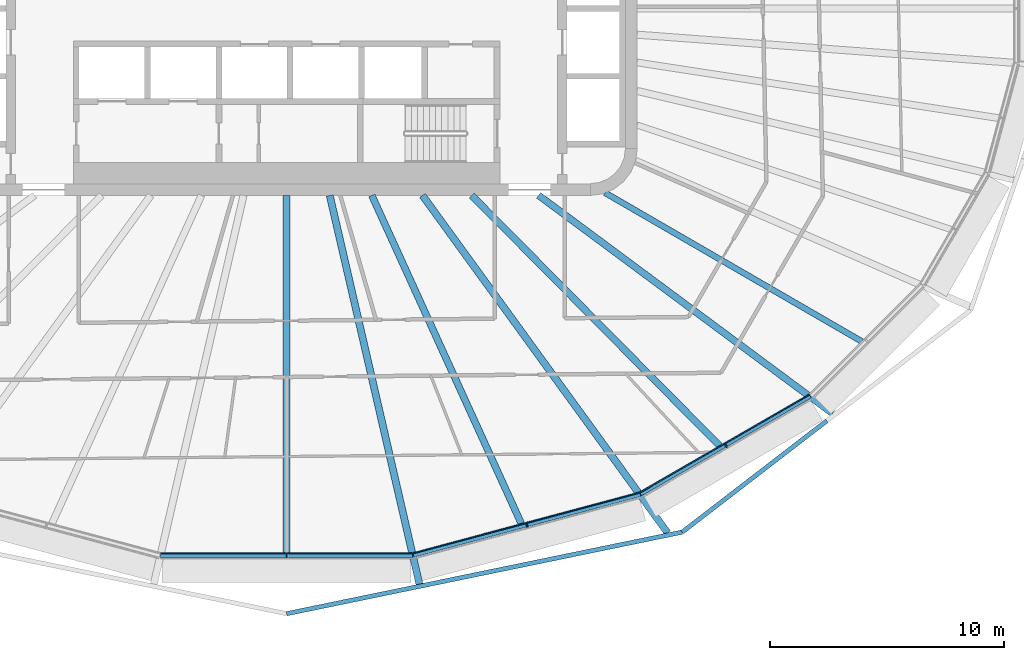
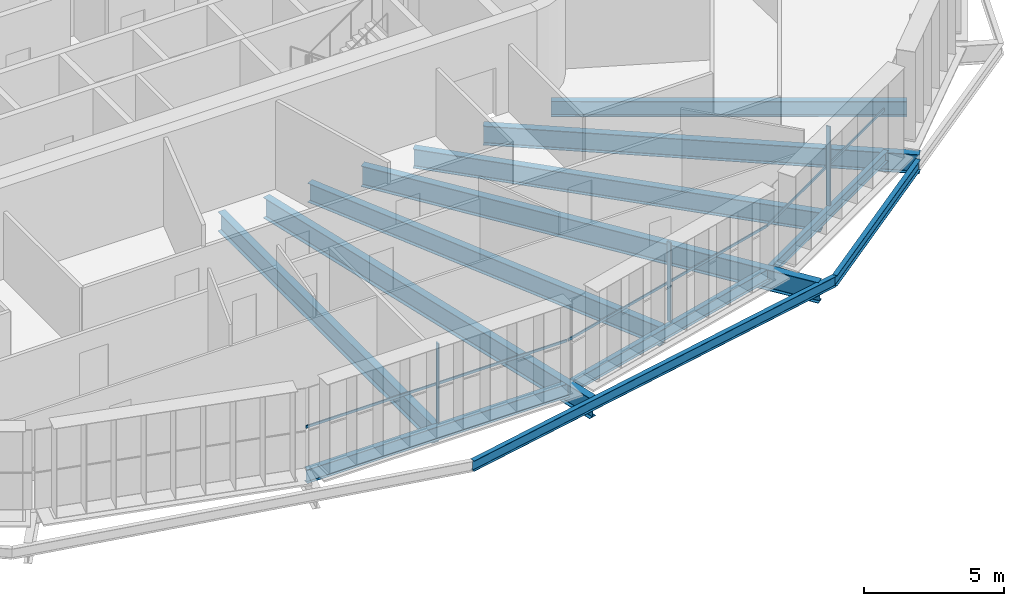
# One storey, part 4 of 24: 12 beams, 6 members, 3 elements without a shape of their own.
"""IFC4 building model written with IfcOpenShell, lengths in metres."""

from ifc_helpers import new_model, si_unit, direction, frame, origin, origin_2d, place, context, subcontext, project, spatial, rectangle, i_section, extrude, material, layer, layer_set, material_profile, profile_set, type_object, element, aggregate, save


model = new_model("IFC4")

# Units and contexts
model_context = context("Model", 3, precision=1e-05, world=origin(), true_north=direction((0.0, 1.0)))
body_context = subcontext(model_context, "Body", "Model", "MODEL_VIEW")
ifc_project = project(units=[si_unit("LENGTHUNIT", "METRE"), si_unit("AREAUNIT", "SQUARE_METRE"), si_unit("VOLUMEUNIT", "CUBIC_METRE"), si_unit("PLANEANGLEUNIT", "RADIAN"), si_unit("MASSUNIT", "GRAM", prefix="KILO")], contexts=[model_context])

# Site, building, storey
site_placement = place(None, origin())
site = spatial("IfcSite", under=ifc_project, at=site_placement, CompositionType="ELEMENT")
building_placement = place(site_placement, origin())
building = spatial("IfcBuilding", under=site, at=building_placement, Name="Sahrelin Media Tower", CompositionType="ELEMENT")
storey_placement = place(building_placement, frame((0.0, 0.0, 153.60009765625)))
storey = spatial("IfcBuildingStorey", under=building, at=storey_placement, Name="L31", CompositionType="ELEMENT", Elevation=153.60009765625)

# Beams
ifc_material_1 = material(Name="Steel S355", Category="steel")
ifc_material_profile_1 = material_profile(ifc_material_1, i_section(OverallWidth=0.1904296875, OverallDepth=0.45703125, WebThickness=0.009033203125, FlangeThickness=0.014404296875, FilletRadius=0.01025390625, at=origin_2d()), Name="UB 457x191x74")
ifc_profile_set_1 = profile_set([ifc_material_profile_1], Name="Steel S355")
beam_type_1 = type_object("IfcBeamType", Name="Edge beam EB5", PredefinedType="BEAM", material=ifc_profile_set_1)
beam_1_placement = place(storey_placement, frame((22.401123046875, -16.58203125, -0.378662109375), z_axis=(-0.866019985848, -0.500009384024, 0.0), x_axis=(0.500009384024, -0.866019985848, 0.0)))
element("IfcBeam", 1, at=beam_1_placement, inside=storey, type_object=beam_type_1, Name="Edge beam L31-05", PredefinedType="BEAM", context=body_context, shape_type="SweptSolid", body=[
    extrude(i_section(OverallWidth=0.1904296875, OverallDepth=0.45703125, WebThickness=0.009033203125, FlangeThickness=0.014404296875, FilletRadius=0.01025390625, at=origin_2d()), origin(), (0.0, 0.0, 1.0), 8.371826171875),
])
ifc_material_profile_2 = material_profile(ifc_material_1, i_section(OverallWidth=0.208740234375, OverallDepth=0.5283203125, WebThickness=0.009521484375, FlangeThickness=0.01318359375, FilletRadius=0.0126953125, at=origin_2d()), Name="UB 533x210x82")
ifc_profile_set_2 = profile_set([ifc_material_profile_2], Name="Steel S355")
beam_type_2 = type_object("IfcBeamType", Name="Edge beam EB6", PredefinedType="BEAM", material=ifc_profile_set_2)
beam_2_placement = place(storey_placement, frame((15.124267578125, -20.779052734375, -0.414306640625), z_axis=(-0.965924398273, -0.258824374473, 0.0), x_axis=(0.258824374473, -0.965924398273, 0.0)))
element("IfcBeam", 2, at=beam_2_placement, inside=storey, type_object=beam_type_2, Name="Edge beam L31-06", PredefinedType="BEAM", context=body_context, shape_type="SweptSolid", body=[
    extrude(i_section(OverallWidth=0.208740234375, OverallDepth=0.5283203125, WebThickness=0.009521484375, FlangeThickness=0.01318359375, FilletRadius=0.0126953125, at=origin_2d()), origin(), (0.0, 0.0, 1.0), 10.0439453125),
])
ifc_material_profile_3 = material_profile(ifc_material_1, i_section(OverallWidth=0.2275390625, OverallDepth=0.6025390625, WebThickness=0.010498046875, FlangeThickness=0.014892578125, FilletRadius=0.0126953125, at=origin_2d()), Name="UB 610x229x101")
ifc_profile_set_3 = profile_set([ifc_material_profile_3], Name="Steel S355")
beam_type_3 = type_object("IfcBeamType", Name="Edge beam EB7", PredefinedType="BEAM", material=ifc_profile_set_3)
beam_3_placement = place(storey_placement, frame((5.393798828125, -23.38232421875, -0.451416015625), z_axis=(-1.0, 0.0, 0.0), x_axis=(0.0, -1.0, 0.0)))
element("IfcBeam", 3, at=beam_3_placement, inside=storey, type_object=beam_type_3, Name="Edge beam L31-07", PredefinedType="BEAM", context=body_context, shape_type="SweptSolid", body=[
    extrude(i_section(OverallWidth=0.2275390625, OverallDepth=0.6025390625, WebThickness=0.010498046875, FlangeThickness=0.014892578125, FilletRadius=0.0126953125, at=origin_2d()), origin(), (0.0, 0.0, 1.0), 10.78759765625),
])

# Curtain wall, member
ifc_material_2 = material(Name="Champagne anodised aluminium 6063-T6", Category="aluminium")
ifc_layer = layer(ifc_material_2, 0.14990234375)
ifc_layer_set = layer_set([ifc_layer], Name="Tower ribbon curtain wall")
curtain_wall_type = type_object("IfcCurtainWallType", Name="Tower ribbon curtain wall", PredefinedType="NOTDEFINED", material=ifc_layer_set)
curtain_wall_1_placement = place(storey_placement, frame((0.0, -23.532470703125, 0.0), z_axis=(0.0, 0.0, 1.0), x_axis=(1.0, 0.0, 0.0)))
curtain_wall_1 = element("IfcCurtainWall", 4, at=curtain_wall_1_placement, inside=storey, type_object=curtain_wall_type, Name="L31:CW:L31-18", PredefinedType="NOTDEFINED")
ifc_material_profile_4 = material_profile(ifc_material_2, rectangle(XDim=0.06005859375, YDim=0.175048828125, at=origin_2d()), Name="Mullion 60x175")
ifc_profile_set_4 = profile_set([ifc_material_profile_4], Name="Champagne anodised aluminium 6063-T6")
member_type_1 = type_object("IfcMemberType", Name="Mullion 60x175 CW1B", PredefinedType="MULLION", material=ifc_profile_set_4)
member_1_placement = place(storey_placement, frame((0.0, -23.4248046875, 0.0), z_axis=(0.0, 0.0, 1.0), x_axis=(1.0, 0.0, 0.0)))
member_1 = element("IfcMember", 5, at=member_1_placement, type_object=member_type_1, Name="L31:CWM:L31-18", PredefinedType="MULLION", context=body_context, shape_type="SweptSolid", body=[
    extrude(rectangle(XDim=0.06005859375, YDim=0.175048828125, at=origin_2d()), origin(), (0.0, 0.0, 1.0), 3.448486328125),
])

curtain_wall_2_placement = place(storey_placement, frame((10.312255859375, -22.2236328125, 0.0), z_axis=(0.0, 0.0, 1.0), x_axis=(1.0, 0.0, 0.0)))
curtain_wall_2 = element("IfcCurtainWall", 6, at=curtain_wall_2_placement, inside=storey, type_object=curtain_wall_type, Name="L31:CW:L31-19", PredefinedType="NOTDEFINED")
member_2_placement = place(storey_placement, frame((10.284423828125, -22.119873046875, 0.0), z_axis=(0.0, 0.0, 1.0), x_axis=(0.965926729732, 0.258815673384, 0.0)))
member_2 = element("IfcMember", 7, at=member_2_placement, type_object=member_type_1, Name="L31:CWM:L31-19", PredefinedType="MULLION", context=body_context, shape_type="SweptSolid", body=[
    extrude(rectangle(XDim=0.06005859375, YDim=0.175048828125, at=origin_2d()), origin(), (0.0, 0.0, 1.0), 3.448486328125),
])

curtain_wall_3_placement = place(storey_placement, frame((18.85107421875, -18.804931640625, 0.0), z_axis=(0.0, 0.0, 1.0), x_axis=(1.0, 0.0, 0.0)))
curtain_wall_3 = element("IfcCurtainWall", 8, at=curtain_wall_3_placement, inside=storey, type_object=curtain_wall_type, Name="L31:CW:L31-20", PredefinedType="NOTDEFINED")
member_3_placement = place(storey_placement, frame((18.797119140625, -18.7119140625, 0.0), z_axis=(0.0, 0.0, 1.0), x_axis=(0.866025403784, 0.5, 0.0)))
member_3 = element("IfcMember", 9, at=member_3_placement, type_object=member_type_1, Name="L31:CWM:L31-20", PredefinedType="MULLION", context=body_context, shape_type="SweptSolid", body=[
    extrude(rectangle(XDim=0.06005859375, YDim=0.175048828125, at=origin_2d()), origin(), (0.0, 0.0, 1.0), 3.448486328125),
])

# Beams
ifc_material_profile_5 = material_profile(ifc_material_1, i_section(OverallWidth=0.291748046875, OverallDepth=0.8349609375, WebThickness=0.013916015625, FlangeThickness=0.018798828125, FilletRadius=0.017822265625, at=origin_2d()), Name="UB 838x292x176")
ifc_profile_set_5 = profile_set([ifc_material_profile_5], Name="Steel S355")
beam_type_4 = type_object("IfcBeamType", Name="Radial primary beam PB10", PredefinedType="BEAM", material=ifc_profile_set_5)
beam_4_placement = place(storey_placement, frame((10.784423828125, -8.0, -0.567626953125), z_axis=(0.803150241364, -0.59577654351, 0.0), x_axis=(0.59577654351, 0.803150241364, 0.0)))
element("IfcBeam", 10, at=beam_4_placement, inside=storey, type_object=beam_type_4, Name="Radial beam L31-21", PredefinedType="BEAM", context=body_context, shape_type="SweptSolid", body=[
    extrude(i_section(OverallWidth=0.291748046875, OverallDepth=0.8349609375, WebThickness=0.013916015625, FlangeThickness=0.018798828125, FilletRadius=0.017822265625, at=origin_2d()), origin(), (0.0, 0.0, 1.0), 15.66162109375),
])
ifc_material_profile_6 = material_profile(ifc_material_1, i_section(OverallWidth=0.30322265625, OverallDepth=0.903076171875, WebThickness=0.01513671875, FlangeThickness=0.020263671875, FilletRadius=0.01904296875, at=origin_2d()), Name="UB 914x305x201")
ifc_profile_set_6 = profile_set([ifc_material_profile_6], Name="Steel S355")
beam_type_5 = type_object("IfcBeamType", Name="Radial primary beam PB11", PredefinedType="BEAM", material=ifc_profile_set_6)
beam_5_placement = place(storey_placement, frame((1.845458984375, -8.0, -0.6015625), z_axis=(0.224764419728, -0.974413133955, 0.0), x_axis=(0.974413133955, 0.224764419728, 0.0)))
element("IfcBeam", 11, at=beam_5_placement, inside=storey, type_object=beam_type_5, Name="Radial beam L31-19", PredefinedType="BEAM", context=body_context, shape_type="SweptSolid", body=[
    extrude(i_section(OverallWidth=0.30322265625, OverallDepth=0.903076171875, WebThickness=0.01513671875, FlangeThickness=0.020263671875, FilletRadius=0.01904296875, at=origin_2d()), origin(), (0.0, 0.0, 1.0), 17.064208984375),
])
beam_6_placement = place(storey_placement, frame((5.8125, -8.0, -0.6015625), z_axis=(0.587797436451, -0.809008141925, 0.0), x_axis=(0.809008141925, 0.587797436451, 0.0)))
element("IfcBeam", 12, at=beam_6_placement, inside=storey, type_object=beam_type_5, Name="Radial beam L31-20", PredefinedType="BEAM", context=body_context, shape_type="SweptSolid", body=[
    extrude(i_section(OverallWidth=0.30322265625, OverallDepth=0.903076171875, WebThickness=0.01513671875, FlangeThickness=0.020263671875, FilletRadius=0.01904296875, at=origin_2d()), origin(), (0.0, 0.0, 1.0), 17.844970703125),
])
ifc_material_profile_7 = material_profile(ifc_material_1, i_section(OverallWidth=0.291748046875, OverallDepth=0.8349609375, WebThickness=0.013916015625, FlangeThickness=0.018798828125, FilletRadius=0.017822265625, at=origin_2d()), Name="UB 838x292x176")
ifc_profile_set_7 = profile_set([ifc_material_profile_7], Name="Steel S355")
beam_type_6 = type_object("IfcBeamType", Name="Radial secondary beam SB10", PredefinedType="BEAM", material=ifc_profile_set_7)
beam_7_placement = place(storey_placement, frame((0.0, -8.0, -0.567626953125), z_axis=(0.0, -1.0, 0.0), x_axis=(1.0, 0.0, 0.0)))
element("IfcBeam", 13, at=beam_7_placement, inside=storey, type_object=beam_type_6, Name="Secondary beam L31-18", PredefinedType="BEAM", context=body_context, shape_type="SweptSolid", body=[
    extrude(i_section(OverallWidth=0.291748046875, OverallDepth=0.8349609375, WebThickness=0.013916015625, FlangeThickness=0.018798828125, FilletRadius=0.017822265625, at=origin_2d()), origin(), (0.0, 0.0, 1.0), 15.2685546875),
])
beam_8_placement = place(storey_placement, frame((3.64501953125, -8.0, -0.567626953125), z_axis=(0.414613847662, -0.909997449077, 0.0), x_axis=(0.909997449077, 0.414613847662, 0.0)))
element("IfcBeam", 14, at=beam_8_placement, inside=storey, type_object=beam_type_6, Name="Secondary beam L31-19", PredefinedType="BEAM", context=body_context, shape_type="SweptSolid", body=[
    extrude(i_section(OverallWidth=0.291748046875, OverallDepth=0.8349609375, WebThickness=0.013916015625, FlangeThickness=0.018798828125, FilletRadius=0.017822265625, at=origin_2d()), origin(), (0.0, 0.0, 1.0), 15.421630859375),
])
beam_9_placement = place(storey_placement, frame((7.921142578125, -8.0, -0.567626953125), z_axis=(0.703599162107, -0.710597086317, 0.0), x_axis=(0.710597086317, 0.703599162107, 0.0)))
element("IfcBeam", 15, at=beam_9_placement, inside=storey, type_object=beam_type_6, Name="Secondary beam L31-20", PredefinedType="BEAM", context=body_context, shape_type="SweptSolid", body=[
    extrude(i_section(OverallWidth=0.291748046875, OverallDepth=0.8349609375, WebThickness=0.013916015625, FlangeThickness=0.018798828125, FilletRadius=0.017822265625, at=origin_2d()), origin(), (0.0, 0.0, 1.0), 15.071533203125),
])
ifc_material_profile_8 = material_profile(ifc_material_1, i_section(OverallWidth=0.2529296875, OverallDepth=0.677978515625, WebThickness=0.01171875, FlangeThickness=0.01611328125, FilletRadius=0.01513671875, at=origin_2d()), Name="UB 686x254x125")
ifc_profile_set_8 = profile_set([ifc_material_profile_8], Name="Steel S355")
beam_type_7 = type_object("IfcBeamType", Name="Radial secondary beam SB8", PredefinedType="BEAM", material=ifc_profile_set_8)
beam_10_placement = place(storey_placement, frame((13.624755859375, -7.887451171875, -0.489013671875), z_axis=(0.865442516247, -0.501008234535, 0.0), x_axis=(0.501008234535, 0.865442516247, 0.0)))
element("IfcBeam", 16, at=beam_10_placement, inside=storey, type_object=beam_type_7, Name="Secondary beam L31-21", PredefinedType="BEAM", context=body_context, shape_type="SweptSolid", body=[
    extrude(i_section(OverallWidth=0.2529296875, OverallDepth=0.677978515625, WebThickness=0.01171875, FlangeThickness=0.01611328125, FilletRadius=0.01513671875, at=origin_2d()), origin(), (0.0, 0.0, 1.0), 12.700927734375),
])
ifc_material_profile_9 = material_profile(ifc_material_1, i_section(OverallWidth=0.1904296875, OverallDepth=0.45703125, WebThickness=0.009033203125, FlangeThickness=0.014404296875, FilletRadius=0.01025390625, at=origin_2d()), Name="UB 457x191x74")
ifc_profile_set_9 = profile_set([ifc_material_profile_9], Name="Steel S355")
beam_type_8 = type_object("IfcBeamType", Name="Tie chord TC5", PredefinedType="BEAM", material=ifc_profile_set_9)
beam_11_placement = place(storey_placement, frame((23.110595703125, -17.645263671875, -0.378662109375), z_axis=(-0.792471623605, -0.609908784804, 0.0), x_axis=(0.609908784804, -0.792471623605, 0.0)))
element("IfcBeam", 17, at=beam_11_placement, inside=storey, type_object=beam_type_8, Name="Tie chord L31-04", PredefinedType="BEAM", context=body_context, shape_type="SweptSolid", body=[
    extrude(i_section(OverallWidth=0.1904296875, OverallDepth=0.45703125, WebThickness=0.009033203125, FlangeThickness=0.014404296875, FilletRadius=0.01025390625, at=origin_2d()), origin(), (0.0, 0.0, 1.0), 7.804443359375),
])
beam_12_placement = place(storey_placement, frame((16.92578125, -22.4052734375, -0.378662109375), z_axis=(-0.979382790759, -0.202013240074, 0.0), x_axis=(0.202013240074, -0.979382790759, 0.0)))
element("IfcBeam", 18, at=beam_12_placement, inside=storey, type_object=beam_type_8, Name="Tie chord L31-05", PredefinedType="BEAM", context=body_context, shape_type="SweptSolid", body=[
    extrude(i_section(OverallWidth=0.1904296875, OverallDepth=0.45703125, WebThickness=0.009033203125, FlangeThickness=0.014404296875, FilletRadius=0.01025390625, at=origin_2d()), origin(), (0.0, 0.0, 1.0), 17.281982421875),
])

# Member
ifc_material_profile_10 = material_profile(ifc_material_2, rectangle(XDim=0.050048828125, YDim=0.110107421875, at=origin_2d()), Name="Transom 50x110")
ifc_profile_set_10 = profile_set([ifc_material_profile_10], Name="Champagne anodised aluminium 6063-T6")
member_type_2 = type_object("IfcMemberType", Name="Transom 50x110 CW1B", PredefinedType="USERDEFINED", material=ifc_profile_set_10)
member_4_placement = place(storey_placement, frame((-5.378173828125, -23.3125, 1.599853515625), z_axis=(1.0, 0.0, 0.0), x_axis=(0.0, 1.0, 0.0)))
member_4 = element("IfcMember", 19, at=member_4_placement, type_object=member_type_2, Name="L31:CWT:L31-18", ObjectType="TRANSOM", PredefinedType="USERDEFINED", context=body_context, shape_type="SweptSolid", body=[
    extrude(rectangle(XDim=0.050048828125, YDim=0.110107421875, at=origin_2d()), origin(), (0.0, 0.0, 1.0), 10.75634765625),
])

aggregate(curtain_wall_1, [member_1, member_4])

member_5_placement = place(storey_placement, frame((5.419677734375, -23.306884765625, 1.599853515625), z_axis=(0.965929113775, 0.258806775726, 0.0), x_axis=(-0.258806775726, 0.965929113775, 0.0)))
member_5 = element("IfcMember", 20, at=member_5_placement, type_object=member_type_2, Name="L31:CWT:L31-19", ObjectType="TRANSOM", PredefinedType="USERDEFINED", context=body_context, shape_type="SweptSolid", body=[
    extrude(rectangle(XDim=0.050048828125, YDim=0.110107421875, at=origin_2d()), origin(), (0.0, 0.0, 1.0), 10.012451171875),
])

aggregate(curtain_wall_2, [member_2, member_5])

member_6_placement = place(storey_placement, frame((15.12939453125, -20.69970703125, 1.599853515625), z_axis=(0.866018876994, 0.500011304563, 0.0), x_axis=(-0.500011304563, 0.866018876994, 0.0)))
member_6 = element("IfcMember", 21, at=member_6_placement, type_object=member_type_2, Name="L31:CWT:L31-20", ObjectType="TRANSOM", PredefinedType="USERDEFINED", context=body_context, shape_type="SweptSolid", body=[
    extrude(rectangle(XDim=0.050048828125, YDim=0.110107421875, at=origin_2d()), origin(), (0.0, 0.0, 1.0), 8.340576171875),
])

aggregate(curtain_wall_3, [member_3, member_6])

save(model, "model.ifc")
